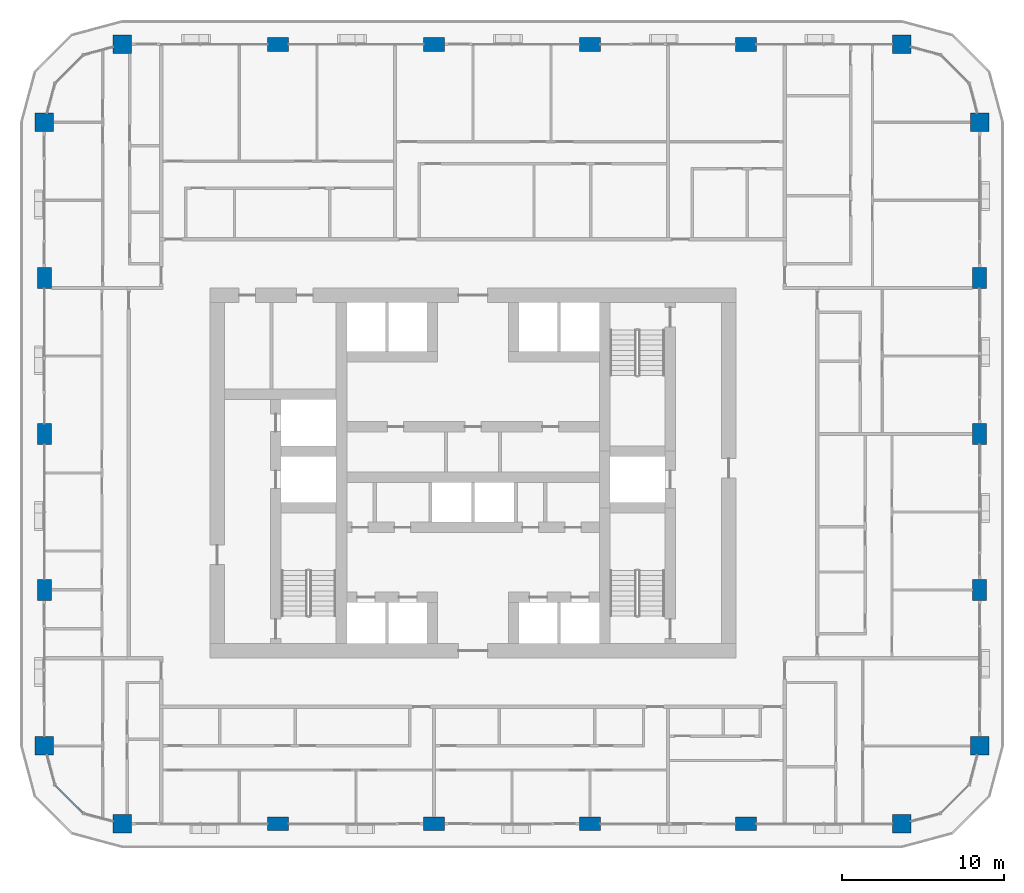
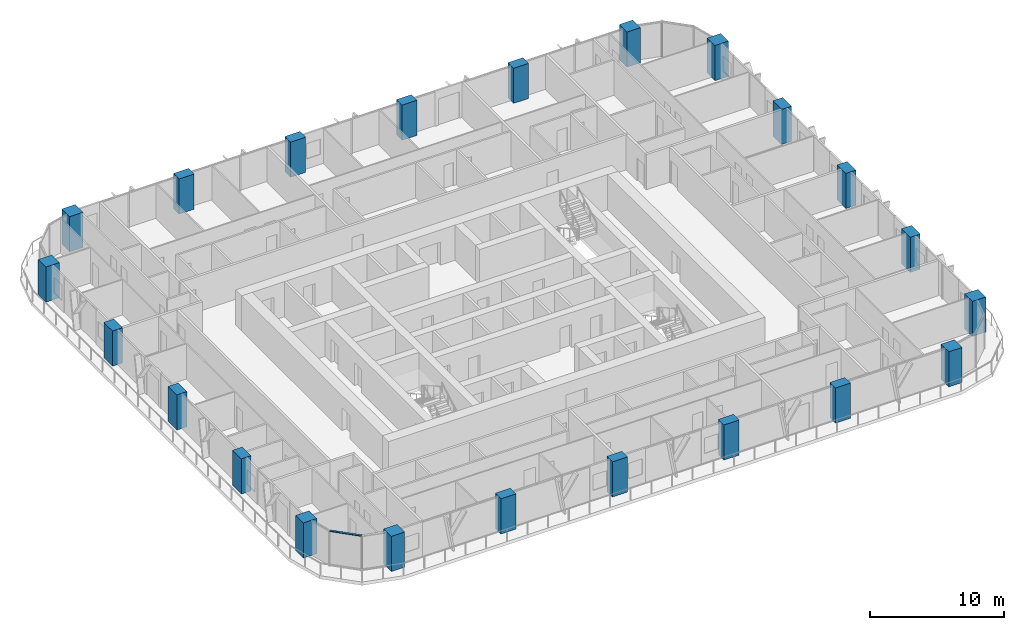
# One storey, part 1 of 21: 22 columns, 1 member, 1 element without a shape of its own.
"""IFC4 building model written with IfcOpenShell, lengths in metres."""

from ifc_helpers import new_model, si_unit, direction, frame, origin, origin_2d, place, context, subcontext, project, spatial, rectangle, extrude, material, layer, layer_set, material_profile, profile_set, type_object, element, aggregate, save


model = new_model("IFC4")

# Units and contexts
model_context = context("Model", 3, precision=1e-05, world=origin(), true_north=direction((0.0, 1.0)))
body_context = subcontext(model_context, "Body", "Model", "MODEL_VIEW")
ifc_project = project(units=[si_unit("LENGTHUNIT", "METRE"), si_unit("AREAUNIT", "SQUARE_METRE"), si_unit("VOLUMEUNIT", "CUBIC_METRE"), si_unit("PLANEANGLEUNIT", "RADIAN"), si_unit("MASSUNIT", "GRAM", prefix="KILO")], contexts=[model_context])

# Site, building, storey
site_placement = place(None, origin())
site = spatial("IfcSite", under=ifc_project, at=site_placement, CompositionType="ELEMENT")
building_placement = place(site_placement, origin())
building = spatial("IfcBuilding", under=site, at=building_placement, Name="Madar Terraces", CompositionType="ELEMENT")
storey_placement = place(building_placement, frame((0.0, 0.0, 89.199951171875)))
storey = spatial("IfcBuildingStorey", under=building, at=storey_placement, Name="L22", CompositionType="ELEMENT", Elevation=89.199951171875)

# Columns
ifc_material_1 = material(Name="Concrete C80/95", Category="concrete")
ifc_material_profile_1 = material_profile(ifc_material_1, rectangle(XDim=1.300048828125, YDim=0.85009765625, at=origin_2d()), Name="CC2 RC 1300x850")
ifc_profile_set_1 = profile_set([ifc_material_profile_1], Name="Concrete C80/95")
column_type_1 = type_object("IfcColumnType", Name="CC2 RC 1300x850", PredefinedType="COLUMN", material=ifc_profile_set_1)
for number, where, z_axis, x_axis, name in (
    (1, (19.199951171875, 4.800048828125, 0.0), (0.0, 0.0, 1.0), (1.0, 0.0, 0.0), "Perimeter column S2"),
    (2, (28.800048828125, 4.800048828125, 0.0), (0.0, 0.0, 1.0), (1.0, 0.0, 0.0), "Perimeter column S3"),
    (3, (38.39990234375, 4.800048828125, 0.0), (0.0, 0.0, 1.0), (1.0, 0.0, 0.0), "Perimeter column S4"),
    (4, (48.0, 4.800048828125, 0.0), (0.0, 0.0, 1.0), (1.0, 0.0, 0.0), "Perimeter column S5"),
    (5, (62.39990234375, 19.199951171875, 0.0), (0.0, 0.0, 1.0), (0.0, 1.0, 0.0), "Perimeter column E2"),
    (6, (62.39990234375, 28.800048828125, 0.0), (0.0, 0.0, 1.0), (0.0, 1.0, 0.0), "Perimeter column E3"),
    (7, (62.39990234375, 38.39990234375, 0.0), (0.0, 0.0, 1.0), (0.0, 1.0, 0.0), "Perimeter column E4"),
    (8, (48.0, 52.800048828125, 0.0), (0.0, 0.0, 1.0), (1.0, 0.0, 0.0), "Perimeter column N2"),
    (9, (38.39990234375, 52.800048828125, 0.0), (0.0, 0.0, 1.0), (1.0, 0.0, 0.0), "Perimeter column N3"),
    (10, (28.800048828125, 52.800048828125, 0.0), (0.0, 0.0, 1.0), (1.0, 0.0, 0.0), "Perimeter column N4"),
    (11, (19.199951171875, 52.800048828125, 0.0), (0.0, 0.0, 1.0), (1.0, 0.0, 0.0), "Perimeter column N5"),
    (12, (4.800048828125, 38.39990234375, 0.0), (0.0, 0.0, 1.0), (0.0, 1.0, 0.0), "Perimeter column W2"),
    (13, (4.800048828125, 28.800048828125, 0.0), (0.0, 0.0, 1.0), (0.0, 1.0, 0.0), "Perimeter column W3"),
    (14, (4.800048828125, 19.199951171875, 0.0), (0.0, 0.0, 1.0), (0.0, 1.0, 0.0), "Perimeter column W4"),
):
    element("IfcColumn", number, at=place(storey_placement, frame(where, z_axis=z_axis, x_axis=x_axis)), inside=storey, type_object=column_type_1, Name=name, PredefinedType="COLUMN", context=body_context, shape_type="SweptSolid", body=[
        extrude(rectangle(XDim=1.300048828125, YDim=0.85009765625, at=origin_2d()), origin(), (0.0, 0.0, 1.0), 3.199951171875),
    ])
ifc_material_2 = material(Name="Concrete C80/95", Category="concrete")
ifc_material_profile_2 = material_profile(ifc_material_2, rectangle(XDim=1.14990234375, YDim=1.14990234375, at=origin_2d()), Name="KC2 RC 1150x1150")
ifc_profile_set_2 = profile_set([ifc_material_profile_2], Name="Concrete C80/95")
column_type_2 = type_object("IfcColumnType", Name="KC2 RC 1150x1150", PredefinedType="COLUMN", material=ifc_profile_set_2)
for number, where, z_axis, x_axis, name in (
    (15, (9.60009765625, 4.800048828125, 0.0), (0.0, 0.0, 1.0), (1.0, 0.0, 0.0), "Perimeter column S1"),
    (16, (57.60009765625, 4.800048828125, 0.0), (0.0, 0.0, 1.0), (1.0, 0.0, 0.0), "Perimeter column S6"),
    (17, (62.39990234375, 9.60009765625, 0.0), (0.0, 0.0, 1.0), (1.0, 0.0, 0.0), "Perimeter column E1"),
    (18, (62.39990234375, 48.0, 0.0), (0.0, 0.0, 1.0), (1.0, 0.0, 0.0), "Perimeter column E5"),
    (19, (57.60009765625, 52.800048828125, 0.0), (0.0, 0.0, 1.0), (1.0, 0.0, 0.0), "Perimeter column N1"),
    (20, (9.60009765625, 52.800048828125, 0.0), (0.0, 0.0, 1.0), (1.0, 0.0, 0.0), "Perimeter column N6"),
    (21, (4.800048828125, 48.0, 0.0), (0.0, 0.0, 1.0), (1.0, 0.0, 0.0), "Perimeter column W1"),
    (22, (4.800048828125, 9.60009765625, 0.0), (0.0, 0.0, 1.0), (1.0, 0.0, 0.0), "Perimeter column W5"),
):
    element("IfcColumn", number, at=place(storey_placement, frame(where, z_axis=z_axis, x_axis=x_axis)), inside=storey, type_object=column_type_2, Name=name, PredefinedType="COLUMN", context=body_context, shape_type="SweptSolid", body=[
        extrude(rectangle(XDim=1.14990234375, YDim=1.14990234375, at=origin_2d()), origin(), (0.0, 0.0, 1.0), 3.199951171875),
    ])

# Curtain wall, member
ifc_material_3 = material(Name="Glass, ceramic frit dark grey, with black aluminium frame", Category="aluminium")
ifc_layer = layer(ifc_material_3, 0.199951171875)
ifc_layer_set = layer_set([ifc_layer], Name="Facade curtain wall, fritted glass")
curtain_wall_type = type_object("IfcCurtainWallType", Name="Facade curtain wall, fritted glass", PredefinedType="NOTDEFINED", material=ifc_layer_set)
curtain_wall_placement = place(storey_placement, origin())
curtain_wall = element("IfcCurtainWall", 23, at=curtain_wall_placement, inside=storey, type_object=curtain_wall_type, Name="Outer skin curtain wall south-west corner", PredefinedType="NOTDEFINED")
ifc_material_4 = material(Name="Aluminium, black anodised", Category="aluminium")
ifc_material_profile_3 = material_profile(ifc_material_4, rectangle(XDim=0.1201171875, YDim=0.06005859375, at=origin_2d()), Name="Facade transom 60x120")
ifc_profile_set_3 = profile_set([ifc_material_profile_3], Name="Aluminium, black anodised")
member_type = type_object("IfcMemberType", Name="Facade transom 60x120", PredefinedType="USERDEFINED", material=ifc_profile_set_3)
member_placement = place(storey_placement, frame((5.46435546875, 7.1787109375, 3.170166015625), z_axis=(0.707106781187, -0.707106781187, 0.0), x_axis=(0.707106781187, 0.707106781187, 0.0)))
member = element("IfcMember", 24, at=member_placement, type_object=member_type, Name="Transom 2", ObjectType="TRANSOM", PredefinedType="USERDEFINED", context=body_context, shape_type="SweptSolid", body=[
    extrude(rectangle(XDim=0.1201171875, YDim=0.06005859375, at=origin_2d()), origin(), (0.0, 0.0, 1.0), 2.424560546875),
])
aggregate(curtain_wall, [member])

save(model, "model.ifc")
